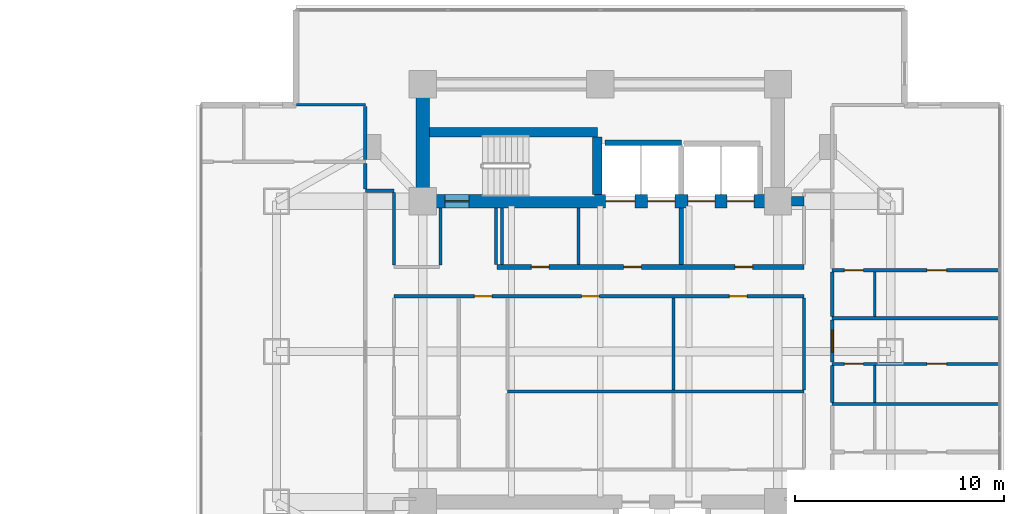
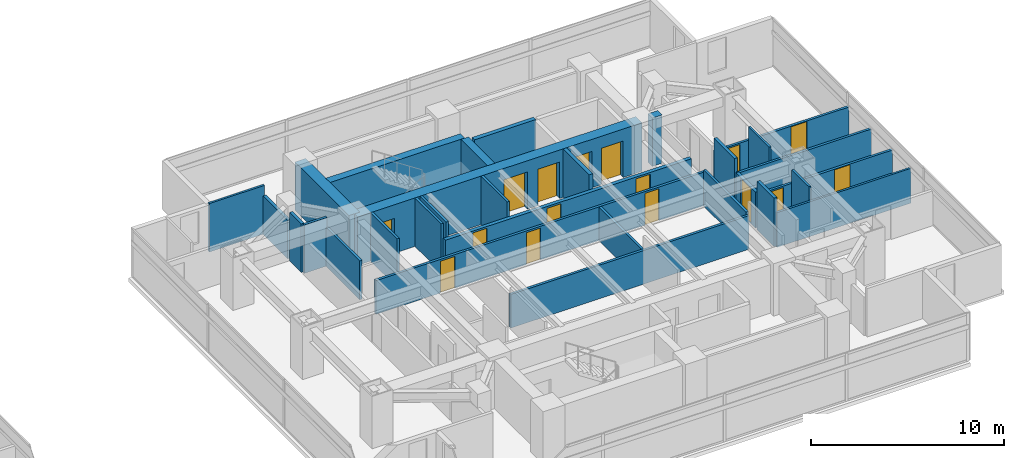
# One storey, part 19 of 27: 30 walls, 16 doors, 16 openings.
"""IFC4 building model written with IfcOpenShell, lengths in metres."""

from ifc_helpers import new_model, si_unit, direction, frame, frame_2d, origin, place, context, subcontext, project, spatial, rectangle, extrude, material, layer, layer_set, type_object, element, fill, save


model = new_model("IFC4")

# Units and contexts
model_context = context("Model", 3, precision=1e-05, world=origin(), true_north=direction((0.0, 1.0)))
body_context = subcontext(model_context, "Body", "Model", "MODEL_VIEW")
ifc_project = project(units=[si_unit("LENGTHUNIT", "METRE"), si_unit("AREAUNIT", "SQUARE_METRE"), si_unit("VOLUMEUNIT", "CUBIC_METRE"), si_unit("PLANEANGLEUNIT", "RADIAN"), si_unit("MASSUNIT", "GRAM", prefix="KILO")], contexts=[model_context])

# Site, building, storey
site_placement = place(None, origin())
site = spatial("IfcSite", under=ifc_project, at=site_placement, CompositionType="ELEMENT")
building_placement = place(site_placement, origin())
building = spatial("IfcBuilding", under=site, at=building_placement, Name="Mirazonda Arch Towers", CompositionType="ELEMENT")
storey_placement = place(building_placement, frame((0.0, 0.0, 75.199951171875)))
storey = spatial("IfcBuildingStorey", under=building, at=storey_placement, Name="L21", CompositionType="ELEMENT", Elevation=75.199951171875)

# Walls
ifc_material_1 = material(Name="Concrete C50/60", Category="concrete")
ifc_layer_1 = layer(ifc_material_1, 0.449951171875, Name="WALL-CORE-450")
ifc_layer_set_1 = layer_set([ifc_layer_1], Name="Concrete C50/60")
wall_type_1 = type_object("IfcWallType", Name="WALL-CORE-450", PredefinedType="SHEAR", material=ifc_layer_set_1)
wall_1_placement = place(storey_placement, frame((85.6650390625, 35.199951171875, 0.0), z_axis=(0.0, 0.0, 1.0), x_axis=(1.0, 0.0, 0.0)))
element("IfcWall", 1, at=wall_1_placement, inside=storey, type_object=wall_type_1, Name="L21 Stair Core Shear Wall 042", PredefinedType="SHEAR", context=body_context, shape_type="SweptSolid", body=[
    extrude(rectangle(XDim=0.5849609375, YDim=0.449951171875, at=frame_2d((0.29248046875, 0.0))), origin(), (0.0, 0.0, 1.0), 3.06005859375),
])
wall_2_placement = place(storey_placement, frame((68.320068359375, 38.5, 0.0), z_axis=(0.0, 0.0, 1.0), x_axis=(1.0, 0.0, 0.0)))
element("IfcWall", 2, at=wall_2_placement, inside=storey, type_object=wall_type_1, Name="L21 Stair Core Shear Wall 048", PredefinedType="SHEAR", context=body_context, shape_type="SweptSolid", body=[
    extrude(rectangle(XDim=8.0400390625, YDim=0.449951171875, at=frame_2d((4.02001953125, 0.0))), origin(), (0.0, 0.0, 1.0), 3.06005859375),
])
wall_3_placement = place(storey_placement, frame((76.360107421875, 35.52001953125, 0.0), z_axis=(0.0, 0.0, 1.0), x_axis=(0.0, 1.0, 0.0)))
element("IfcWall", 3, at=wall_3_placement, inside=storey, type_object=wall_type_1, Name="L21 Stair Core Shear Wall 124", PredefinedType="SHEAR", context=body_context, shape_type="SweptSolid", body=[
    extrude(rectangle(XDim=2.744873046875, YDim=0.449951171875, at=frame_2d((1.37255859375, 0.0))), origin(), (0.0, 0.0, 1.0), 3.06005859375),
])
ifc_material_2 = material(Name="Concrete C60/75", Category="concrete")
ifc_layer_2 = layer(ifc_material_2, 0.64990234375, Name="WALL-CORE-650")
ifc_layer_set_2 = layer_set([ifc_layer_2], Name="Concrete C60/75")
wall_type_2 = type_object("IfcWallType", Name="WALL-CORE-650", PredefinedType="SHEAR", material=ifc_layer_set_2)
wall_4_placement = place(storey_placement, frame((68.0, 35.199951171875, 0.0), z_axis=(0.0, 0.0, 1.0), x_axis=(0.0, 1.0, 0.0)))
element("IfcWall", 4, at=wall_4_placement, inside=storey, type_object=wall_type_2, Name="L21 T2N-W Core Shear Wall", PredefinedType="SHEAR", context=body_context, shape_type="SweptSolid", body=[
    extrude(rectangle(XDim=5.60009765625, YDim=0.64990234375, at=frame_2d((2.800048828125, 0.0))), origin(), (0.0, 0.0, 1.0), 3.06005859375),
])

# Wall, openings, doors
wall_5_placement = place(storey_placement, frame((68.0, 35.199951171875, 0.0), z_axis=(0.0, 0.0, 1.0), x_axis=(1.0, 0.0, 0.0)))
wall_5 = element("IfcWall", 5, at=wall_5_placement, inside=storey, type_object=wall_type_2, Name="L21 T2N-S Core Shear Wall", PredefinedType="SHEAR", context=body_context, shape_type="SweptSolid", body=[
    extrude(rectangle(XDim=17.0, YDim=0.64990234375, at=frame_2d((8.5, 0.0))), origin(), (0.0, 0.0, 1.0), 3.06005859375),
])
opening_1_placement = place(wall_5_placement, frame((1.06005859375, 0.0, 0.0)))
opening_1 = element("IfcOpeningElement", 6, at=opening_1_placement, cuts=wall_5, Name="Opening DR-135", PredefinedType="OPENING", context=body_context, shape_type="SweptSolid", body=[
    extrude(rectangle(XDim=1.14990234375, YDim=2.199951171875, at=frame_2d((0.574951171875, 1.10009765625))), frame((0.0, 0.3349609375, 0.0), z_axis=(0.0, -1.0, 0.0), x_axis=(1.0, 0.0, 0.0)), (0.0, 0.0, 1.0), 0.669921875),
])
opening_2_placement = place(wall_5_placement, frame((8.75, 0.0, 0.0)))
opening_2 = element("IfcOpeningElement", 7, at=opening_2_placement, cuts=wall_5, Name="Opening LD-112", PredefinedType="OPENING", context=body_context, shape_type="SweptSolid", body=[
    extrude(rectangle(XDim=1.39990234375, YDim=2.35009765625, at=frame_2d((0.699951171875, 1.175048828125))), frame((0.0, 0.3349609375, 0.0), z_axis=(0.0, -1.0, 0.0), x_axis=(1.0, 0.0, 0.0)), (0.0, 0.0, 1.0), 0.669921875),
])
opening_3_placement = place(wall_5_placement, frame((10.77001953125, 0.0, 0.0)))
opening_3 = element("IfcOpeningElement", 8, at=opening_3_placement, cuts=wall_5, Name="Opening LD-111", PredefinedType="OPENING", context=body_context, shape_type="SweptSolid", body=[
    extrude(rectangle(XDim=1.300048828125, YDim=2.300048828125, at=frame_2d((0.64990234375, 1.14990234375))), frame((0.0, 0.3349609375, 0.0), z_axis=(0.0, -1.0, 0.0), x_axis=(1.0, 0.0, 0.0)), (0.0, 0.0, 1.0), 0.669921875),
])
opening_4_placement = place(wall_5_placement, frame((12.68994140625, 0.0, 0.0)))
opening_4 = element("IfcOpeningElement", 9, at=opening_4_placement, cuts=wall_5, Name="Opening LD-111", PredefinedType="OPENING", context=body_context, shape_type="SweptSolid", body=[
    extrude(rectangle(XDim=1.300048828125, YDim=2.300048828125, at=frame_2d((0.64990234375, 1.14990234375))), frame((0.0, 0.3349609375, 0.0), z_axis=(0.0, -1.0, 0.0), x_axis=(1.0, 0.0, 0.0)), (0.0, 0.0, 1.0), 0.669921875),
])
opening_5_placement = place(wall_5_placement, frame((14.570068359375, 0.0, 0.0)))
opening_5 = element("IfcOpeningElement", 10, at=opening_5_placement, cuts=wall_5, Name="Opening LD-111", PredefinedType="OPENING", context=body_context, shape_type="SweptSolid", body=[
    extrude(rectangle(XDim=1.300048828125, YDim=2.300048828125, at=frame_2d((0.64990234375, 1.14990234375))), frame((0.0, 0.3349609375, 0.0), z_axis=(0.0, -1.0, 0.0), x_axis=(1.0, 0.0, 0.0)), (0.0, 0.0, 1.0), 0.669921875),
])
ifc_material_3 = material(Name="Architectural Brushed Steel S355", Category="steel")
door_type_1 = type_object("IfcDoorType", Name="DOOR-LIFT-FFL-1400", OperationType="NOTDEFINED", PredefinedType="DOOR", material=ifc_material_3)
door_1_placement = place(opening_2_placement, origin())
door_1 = element("IfcDoor", 11, at=door_1_placement, inside=storey, type_object=door_type_1, Name="L21 Lift Landing Sliding Door FFL-T2", OperationType="DOUBLE_DOOR_SLIDING", OverallHeight=2.35009765625, OverallWidth=1.39990234375, PredefinedType="DOOR", context=body_context, shape_type="SweptSolid", body=[
    extrude(rectangle(XDim=1.39990234375, YDim=2.35009765625, at=frame_2d((0.699951171875, 1.175048828125))), frame((0.0, 0.02490234375, 0.0), z_axis=(0.0, -1.0, 0.0), x_axis=(1.0, 0.0, 0.0)), (0.0, 0.0, 1.0), 0.050048828125),
])
fill(opening_2, door_1)
door_type_2 = type_object("IfcDoorType", Name="DOOR-LIFT-LAND-1300", OperationType="NOTDEFINED", PredefinedType="DOOR", material=ifc_material_3)
door_2_placement = place(opening_3_placement, origin())
door_2 = element("IfcDoor", 12, at=door_2_placement, inside=storey, type_object=door_type_2, Name="L21 Lift Landing Sliding Door SVL-T2", OperationType="DOUBLE_DOOR_SLIDING", OverallHeight=2.300048828125, OverallWidth=1.300048828125, PredefinedType="DOOR", context=body_context, shape_type="SweptSolid", body=[
    extrude(rectangle(XDim=1.300048828125, YDim=2.300048828125, at=frame_2d((0.64990234375, 1.14990234375))), frame((0.0, 0.02490234375, 0.0), z_axis=(0.0, -1.0, 0.0), x_axis=(1.0, 0.0, 0.0)), (0.0, 0.0, 1.0), 0.050048828125),
])
fill(opening_3, door_2)
door_3_placement = place(opening_4_placement, origin())
door_3 = element("IfcDoor", 13, at=door_3_placement, inside=storey, type_object=door_type_2, Name="L21 Lift Landing Sliding Door PL-T2L1", OperationType="DOUBLE_DOOR_SLIDING", OverallHeight=2.300048828125, OverallWidth=1.300048828125, PredefinedType="DOOR", context=body_context, shape_type="SweptSolid", body=[
    extrude(rectangle(XDim=1.300048828125, YDim=2.300048828125, at=frame_2d((0.64990234375, 1.14990234375))), frame((0.0, 0.02490234375, 0.0), z_axis=(0.0, -1.0, 0.0), x_axis=(1.0, 0.0, 0.0)), (0.0, 0.0, 1.0), 0.050048828125),
])
fill(opening_4, door_3)
door_4_placement = place(opening_5_placement, origin())
door_4 = element("IfcDoor", 14, at=door_4_placement, inside=storey, type_object=door_type_2, Name="L21 Lift Landing Sliding Door PL-T2L2", OperationType="DOUBLE_DOOR_SLIDING", OverallHeight=2.300048828125, OverallWidth=1.300048828125, PredefinedType="DOOR", context=body_context, shape_type="SweptSolid", body=[
    extrude(rectangle(XDim=1.300048828125, YDim=2.300048828125, at=frame_2d((0.64990234375, 1.14990234375))), frame((0.0, 0.02490234375, 0.0), z_axis=(0.0, -1.0, 0.0), x_axis=(1.0, 0.0, 0.0)), (0.0, 0.0, 1.0), 0.050048828125),
])
fill(opening_5, door_4)
door_type_3 = type_object("IfcDoorType", Name="DOOR-STAIR-FD90-1150", OperationType="NOTDEFINED", PredefinedType="DOOR", material=ifc_material_3)
door_5_placement = place(opening_1_placement, origin())
door_5 = element("IfcDoor", 15, at=door_5_placement, inside=storey, type_object=door_type_3, Name="L21 East Protected Stair North Door", OperationType="SINGLE_SWING_RIGHT", OverallHeight=2.199951171875, OverallWidth=1.14990234375, PredefinedType="DOOR", context=body_context, shape_type="SweptSolid", body=[
    extrude(rectangle(XDim=1.14990234375, YDim=2.199951171875, at=frame_2d((0.574951171875, 1.10009765625))), frame((0.0, 0.02490234375, 0.0), z_axis=(0.0, -1.0, 0.0), x_axis=(1.0, 0.0, 0.0)), (0.0, 0.0, 1.0), 0.050048828125),
])
fill(opening_1, door_5)

ifc_material_4 = material(Name="Concrete C40/50", Category="concrete")
ifc_layer_3 = layer(ifc_material_4, 0.219970703125, Name="WALL-FFL-220")
ifc_layer_set_3 = layer_set([ifc_layer_3], Name="Concrete C40/50")
wall_type_3 = type_object("IfcWallType", Name="WALL-FFL-220", PredefinedType="SOLIDWALL", material=ifc_layer_set_3)
wall_6_placement = place(storey_placement, frame((71.550048828125, 32.050048828125, 0.0), z_axis=(0.0, 0.0, 1.0), x_axis=(1.0, 0.0, 0.0)))
wall_6 = element("IfcWall", 16, at=wall_6_placement, inside=storey, type_object=wall_type_3, Name="L21 Interior Partition 038", PredefinedType="SOLIDWALL", context=body_context, shape_type="SweptSolid", body=[
    extrude(rectangle(XDim=14.699951171875, YDim=0.219970703125, at=frame_2d((7.35009765625, 0.0))), origin(), (0.0, 0.0, 1.0), 2.125),
])
opening_6_placement = place(wall_6_placement, frame((11.389892578125, 0.0, 0.0)))
opening_6 = element("IfcOpeningElement", 17, at=opening_6_placement, cuts=wall_6, Name="Opening DR-128", PredefinedType="OPENING", context=body_context, shape_type="SweptSolid", body=[
    extrude(rectangle(XDim=0.85009765625, YDim=2.010009765625, at=frame_2d((0.425048828125, 1.0048828125))), frame((0.0, 0.119873046875, 0.0), z_axis=(0.0, -1.0, 0.0), x_axis=(1.0, 0.0, 0.0)), (0.0, 0.0, 1.0), 0.239990234375),
])
opening_7_placement = place(wall_6_placement, frame((6.06494140625, 0.0, 0.0)))
opening_7 = element("IfcOpeningElement", 18, at=opening_7_placement, cuts=wall_6, Name="Opening DR-128", PredefinedType="OPENING", context=body_context, shape_type="SweptSolid", body=[
    extrude(rectangle(XDim=0.85009765625, YDim=2.010009765625, at=frame_2d((0.425048828125, 1.0048828125))), frame((0.0, 0.119873046875, 0.0), z_axis=(0.0, -1.0, 0.0), x_axis=(1.0, 0.0, 0.0)), (0.0, 0.0, 1.0), 0.239990234375),
])
opening_8_placement = place(wall_6_placement, frame((1.64990234375, 0.0, 0.0)))
opening_8 = element("IfcOpeningElement", 19, at=opening_8_placement, cuts=wall_6, Name="Opening DR-128", PredefinedType="OPENING", context=body_context, shape_type="SweptSolid", body=[
    extrude(rectangle(XDim=0.85009765625, YDim=2.010009765625, at=frame_2d((0.425048828125, 1.0048828125))), frame((0.0, 0.119873046875, 0.0), z_axis=(0.0, -1.0, 0.0), x_axis=(1.0, 0.0, 0.0)), (0.0, 0.0, 1.0), 0.239990234375),
])
door_type_4 = type_object("IfcDoorType", Name="DOOR-RISER-FD60-850", OperationType="NOTDEFINED", PredefinedType="DOOR", material=ifc_material_3)
door_6_placement = place(opening_6_placement, origin())
door_6 = element("IfcDoor", 20, at=door_6_placement, inside=storey, type_object=door_type_4, Name="L21 East Passenger Lift Lobby Door", OperationType="SINGLE_SWING_LEFT", OverallHeight=2.010009765625, OverallWidth=0.85009765625, PredefinedType="DOOR", context=body_context, shape_type="SweptSolid", body=[
    extrude(rectangle(XDim=0.85009765625, YDim=2.010009765625, at=frame_2d((0.425048828125, 1.0048828125))), frame((0.0, 0.02490234375, 0.0), z_axis=(0.0, -1.0, 0.0), x_axis=(1.0, 0.0, 0.0)), (0.0, 0.0, 1.0), 0.050048828125),
])
fill(opening_6, door_6)
door_7_placement = place(opening_7_placement, origin())
door_7 = element("IfcDoor", 21, at=door_7_placement, inside=storey, type_object=door_type_4, Name="L21 East Firefighting Lift Lobby Door", OperationType="SINGLE_SWING_LEFT", OverallHeight=2.010009765625, OverallWidth=0.85009765625, PredefinedType="DOOR", context=body_context, shape_type="SweptSolid", body=[
    extrude(rectangle(XDim=0.85009765625, YDim=2.010009765625, at=frame_2d((0.425048828125, 1.0048828125))), frame((0.0, 0.02490234375, 0.0), z_axis=(0.0, -1.0, 0.0), x_axis=(1.0, 0.0, 0.0)), (0.0, 0.0, 1.0), 0.050048828125),
])
fill(opening_7, door_7)
door_8_placement = place(opening_8_placement, origin())
door_8 = element("IfcDoor", 22, at=door_8_placement, inside=storey, type_object=door_type_4, Name="L21 Tower 2 Housekeeping & Linen Room Door", OperationType="SINGLE_SWING_RIGHT", OverallHeight=2.010009765625, OverallWidth=0.85009765625, PredefinedType="DOOR", context=body_context, shape_type="SweptSolid", body=[
    extrude(rectangle(XDim=0.85009765625, YDim=2.010009765625, at=frame_2d((0.425048828125, 1.0048828125))), frame((0.0, 0.02490234375, 0.0), z_axis=(0.0, -1.0, 0.0), x_axis=(1.0, 0.0, 0.0)), (0.0, 0.0, 1.0), 0.050048828125),
])
fill(opening_8, door_8)

# Walls
wall_7_placement = place(storey_placement, frame((80.3798828125, 32.169921875, 0.0), z_axis=(0.0, 0.0, 1.0), x_axis=(0.0, 1.0, 0.0)))
element("IfcWall", 23, at=wall_7_placement, inside=storey, type_object=wall_type_3, Name="L21 Interior Partition 128", PredefinedType="SOLIDWALL", context=body_context, shape_type="SweptSolid", body=[
    extrude(rectangle(XDim=2.7099609375, YDim=0.219970703125, at=frame_2d((1.35498046875, 0.0))), origin(), (0.0, 0.0, 1.0), 3.06005859375),
])
ifc_material_5 = material(Name="Fire-Rated Gypsum Stud Partition")
ifc_layer_4 = layer(ifc_material_5, 0.14990234375, Name="WALL-PART-CORR-150")
ifc_layer_set_4 = layer_set([ifc_layer_4], Name="Fire-Rated Gypsum Stud Partition")
wall_type_4 = type_object("IfcWallType", Name="WALL-PART-CORR-150", PredefinedType="PARTITIONING", material=ifc_layer_set_4)
wall_8_placement = place(storey_placement, frame((72.050048828125, 26.0849609375, 0.0), z_axis=(0.0, 0.0, 1.0), x_axis=(1.0, 0.0, 0.0)))
element("IfcWall", 24, at=wall_8_placement, inside=storey, type_object=wall_type_4, Name="L21 Interior Partition 027", PredefinedType="PARTITIONING", context=body_context, shape_type="SweptSolid", body=[
    extrude(rectangle(XDim=14.199951171875, YDim=0.14990234375, at=frame_2d((7.10009765625, 0.0))), origin(), (0.0, 0.0, 1.0), 2.125),
])

# Wall, openings, doors
wall_9_placement = place(storey_placement, frame((87.60009765625, 27.412109375, 0.0), z_axis=(0.0, 0.0, 1.0), x_axis=(1.0, 0.0, 0.0)))
wall_9 = element("IfcWall", 25, at=wall_9_placement, inside=storey, type_object=wall_type_4, Name="L21 Interior Partition 031", PredefinedType="PARTITIONING", context=body_context, shape_type="SweptSolid", body=[
    extrude(rectangle(XDim=8.005859375, YDim=0.14990234375, at=frame_2d((4.0029296875, 0.0))), origin(), (0.0, 0.0, 1.0), 2.196044921875),
])
opening_9_placement = place(wall_9_placement, frame((4.528076171875, 0.0, 0.0)))
opening_9 = element("IfcOpeningElement", 26, at=opening_9_placement, cuts=wall_9, Name="Opening DR-104", PredefinedType="OPENING", context=body_context, shape_type="SweptSolid", body=[
    extrude(rectangle(XDim=0.949951171875, YDim=2.14990234375, at=frame_2d((0.47509765625, 1.074951171875))), frame((0.0, 0.0849609375, 0.0), z_axis=(0.0, -1.0, 0.0), x_axis=(1.0, 0.0, 0.0)), (0.0, 0.0, 1.0), 0.169921875),
])
opening_10_placement = place(wall_9_placement, frame((0.590087890625, 0.0, 0.0)))
opening_10 = element("IfcOpeningElement", 27, at=opening_10_placement, cuts=wall_9, Name="Opening DR-120", PredefinedType="OPENING", context=body_context, shape_type="SweptSolid", body=[
    extrude(rectangle(XDim=0.89990234375, YDim=2.10009765625, at=frame_2d((0.449951171875, 1.050048828125))), frame((0.0, 0.0849609375, 0.0), z_axis=(0.0, -1.0, 0.0), x_axis=(1.0, 0.0, 0.0)), (0.0, 0.0, 1.0), 0.169921875),
])
door_type_5 = type_object("IfcDoorType", Name="DOOR-ROOM-950", OperationType="NOTDEFINED", PredefinedType="DOOR", material=ifc_material_3)
door_9_placement = place(opening_9_placement, origin())
door_9 = element("IfcDoor", 28, at=door_9_placement, inside=storey, type_object=door_type_5, Name="L21 Guestroom Study 2 Door", OperationType="SINGLE_SWING_RIGHT", OverallHeight=2.14990234375, OverallWidth=0.949951171875, PredefinedType="DOOR", context=body_context, shape_type="SweptSolid", body=[
    extrude(rectangle(XDim=0.949951171875, YDim=2.14990234375, at=frame_2d((0.47509765625, 1.074951171875))), frame((0.0, 0.02490234375, 0.0), z_axis=(0.0, -1.0, 0.0), x_axis=(1.0, 0.0, 0.0)), (0.0, 0.0, 1.0), 0.050048828125),
])
fill(opening_9, door_9)
door_type_6 = type_object("IfcDoorType", Name="DOOR-WC-900", OperationType="NOTDEFINED", PredefinedType="DOOR", material=ifc_material_3)
door_10_placement = place(opening_10_placement, origin())
door_10 = element("IfcDoor", 29, at=door_10_placement, inside=storey, type_object=door_type_6, Name="L21 En-Suite Bathroom 2 Door", OperationType="SINGLE_SWING_LEFT", OverallHeight=2.10009765625, OverallWidth=0.89990234375, PredefinedType="DOOR", context=body_context, shape_type="SweptSolid", body=[
    extrude(rectangle(XDim=0.89990234375, YDim=2.10009765625, at=frame_2d((0.449951171875, 1.050048828125))), frame((0.0, 0.02490234375, 0.0), z_axis=(0.0, -1.0, 0.0), x_axis=(1.0, 0.0, 0.0)), (0.0, 0.0, 1.0), 0.050048828125),
])
fill(opening_10, door_10)

# Wall
wall_10_placement = place(storey_placement, frame((87.60009765625, 29.595947265625, 0.0), z_axis=(0.0, 0.0, 1.0), x_axis=(1.0, 0.0, 0.0)))
element("IfcWall", 30, at=wall_10_placement, inside=storey, type_object=wall_type_4, Name="L21 Interior Partition 033", PredefinedType="PARTITIONING", context=body_context, shape_type="SweptSolid", body=[
    extrude(rectangle(XDim=8.005859375, YDim=0.14990234375, at=frame_2d((4.0029296875, 0.0))), origin(), (0.0, 0.0, 1.0), 2.196044921875),
])

# Wall, openings, doors
wall_11_placement = place(storey_placement, frame((66.6201171875, 30.64990234375, 0.0), z_axis=(0.0, 0.0, 1.0), x_axis=(1.0, 0.0, 0.0)))
wall_11 = element("IfcWall", 31, at=wall_11_placement, inside=storey, type_object=wall_type_4, Name="L21 Interior Partition 034", PredefinedType="PARTITIONING", context=body_context, shape_type="SweptSolid", body=[
    extrude(rectangle(XDim=19.6298828125, YDim=0.14990234375, at=frame_2d((9.81494140625, 0.0))), origin(), (0.0, 0.0, 1.0), 2.125),
])
opening_11_placement = place(wall_11_placement, frame((3.85498046875, 0.0, 0.0)))
opening_11 = element("IfcOpeningElement", 32, at=opening_11_placement, cuts=wall_11, Name="Opening DR-128", PredefinedType="OPENING", context=body_context, shape_type="SweptSolid", body=[
    extrude(rectangle(XDim=0.85009765625, YDim=2.010009765625, at=frame_2d((0.425048828125, 1.0048828125))), frame((0.0, 0.0849609375, 0.0), z_axis=(0.0, -1.0, 0.0), x_axis=(1.0, 0.0, 0.0)), (0.0, 0.0, 1.0), 0.169921875),
])
opening_12_placement = place(wall_11_placement, frame((8.98095703125, 0.0, 0.0)))
opening_12 = element("IfcOpeningElement", 33, at=opening_12_placement, cuts=wall_11, Name="Opening DR-128", PredefinedType="OPENING", context=body_context, shape_type="SweptSolid", body=[
    extrude(rectangle(XDim=0.85009765625, YDim=2.010009765625, at=frame_2d((0.425048828125, 1.0048828125))), frame((0.0, 0.0849609375, 0.0), z_axis=(0.0, -1.0, 0.0), x_axis=(1.0, 0.0, 0.0)), (0.0, 0.0, 1.0), 0.169921875),
])
opening_13_placement = place(wall_11_placement, frame((16.06103515625, 0.0, 0.0)))
opening_13 = element("IfcOpeningElement", 34, at=opening_13_placement, cuts=wall_11, Name="Opening DR-128", PredefinedType="OPENING", context=body_context, shape_type="SweptSolid", body=[
    extrude(rectangle(XDim=0.85009765625, YDim=2.010009765625, at=frame_2d((0.425048828125, 1.0048828125))), frame((0.0, 0.0849609375, 0.0), z_axis=(0.0, -1.0, 0.0), x_axis=(1.0, 0.0, 0.0)), (0.0, 0.0, 1.0), 0.169921875),
])
door_11_placement = place(opening_11_placement, origin())
door_11 = element("IfcDoor", 35, at=door_11_placement, inside=storey, type_object=door_type_4, Name="L21 L21 East Courtyard Study Door", OperationType="SINGLE_SWING_RIGHT", OverallHeight=2.010009765625, OverallWidth=0.85009765625, PredefinedType="DOOR", context=body_context, shape_type="SweptSolid", body=[
    extrude(rectangle(XDim=0.85009765625, YDim=2.010009765625, at=frame_2d((0.425048828125, 1.0048828125))), frame((0.0, 0.02490234375, 0.0), z_axis=(0.0, -1.0, 0.0), x_axis=(1.0, 0.0, 0.0)), (0.0, 0.0, 1.0), 0.050048828125),
])
fill(opening_11, door_11)
door_12_placement = place(opening_12_placement, origin())
door_12 = element("IfcDoor", 36, at=door_12_placement, inside=storey, type_object=door_type_4, Name="L21 Concierge Salon Door", OperationType="SINGLE_SWING_LEFT", OverallHeight=2.010009765625, OverallWidth=0.85009765625, PredefinedType="DOOR", context=body_context, shape_type="SweptSolid", body=[
    extrude(rectangle(XDim=0.85009765625, YDim=2.010009765625, at=frame_2d((0.425048828125, 1.0048828125))), frame((0.0, 0.02490234375, 0.0), z_axis=(0.0, -1.0, 0.0), x_axis=(1.0, 0.0, 0.0)), (0.0, 0.0, 1.0), 0.050048828125),
])
fill(opening_12, door_12)
door_13_placement = place(opening_13_placement, origin())
door_13 = element("IfcDoor", 37, at=door_13_placement, inside=storey, type_object=door_type_4, Name="L21 Private Meeting Suite Door", OperationType="SINGLE_SWING_RIGHT", OverallHeight=2.010009765625, OverallWidth=0.85009765625, PredefinedType="DOOR", context=body_context, shape_type="SweptSolid", body=[
    extrude(rectangle(XDim=0.85009765625, YDim=2.010009765625, at=frame_2d((0.425048828125, 1.0048828125))), frame((0.0, 0.02490234375, 0.0), z_axis=(0.0, -1.0, 0.0), x_axis=(1.0, 0.0, 0.0)), (0.0, 0.0, 1.0), 0.050048828125),
])
fill(opening_13, door_13)

wall_12_placement = place(storey_placement, frame((87.60009765625, 31.89599609375, 0.0), z_axis=(0.0, 0.0, 1.0), x_axis=(1.0, 0.0, 0.0)))
wall_12 = element("IfcWall", 38, at=wall_12_placement, inside=storey, type_object=wall_type_4, Name="L21 Interior Partition 035", PredefinedType="PARTITIONING", context=body_context, shape_type="SweptSolid", body=[
    extrude(rectangle(XDim=8.005859375, YDim=0.14990234375, at=frame_2d((4.0029296875, 0.0))), origin(), (0.0, 0.0, 1.0), 2.196044921875),
])
opening_14_placement = place(wall_12_placement, frame((4.528076171875, 0.0, 0.0)))
opening_14 = element("IfcOpeningElement", 39, at=opening_14_placement, cuts=wall_12, Name="Opening DR-104", PredefinedType="OPENING", context=body_context, shape_type="SweptSolid", body=[
    extrude(rectangle(XDim=0.949951171875, YDim=2.14990234375, at=frame_2d((0.47509765625, 1.074951171875))), frame((0.0, 0.0849609375, 0.0), z_axis=(0.0, -1.0, 0.0), x_axis=(1.0, 0.0, 0.0)), (0.0, 0.0, 1.0), 0.169921875),
])
opening_15_placement = place(wall_12_placement, frame((0.590087890625, 0.0, 0.0)))
opening_15 = element("IfcOpeningElement", 40, at=opening_15_placement, cuts=wall_12, Name="Opening DR-120", PredefinedType="OPENING", context=body_context, shape_type="SweptSolid", body=[
    extrude(rectangle(XDim=0.89990234375, YDim=2.10009765625, at=frame_2d((0.449951171875, 1.050048828125))), frame((0.0, 0.0849609375, 0.0), z_axis=(0.0, -1.0, 0.0), x_axis=(1.0, 0.0, 0.0)), (0.0, 0.0, 1.0), 0.169921875),
])
door_14_placement = place(opening_14_placement, origin())
door_14 = element("IfcDoor", 41, at=door_14_placement, inside=storey, type_object=door_type_5, Name="L21 Guestroom Study 3 Door", OperationType="SINGLE_SWING_LEFT", OverallHeight=2.14990234375, OverallWidth=0.949951171875, PredefinedType="DOOR", context=body_context, shape_type="SweptSolid", body=[
    extrude(rectangle(XDim=0.949951171875, YDim=2.14990234375, at=frame_2d((0.47509765625, 1.074951171875))), frame((0.0, 0.02490234375, 0.0), z_axis=(0.0, -1.0, 0.0), x_axis=(1.0, 0.0, 0.0)), (0.0, 0.0, 1.0), 0.050048828125),
])
fill(opening_14, door_14)
door_15_placement = place(opening_15_placement, origin())
door_15 = element("IfcDoor", 42, at=door_15_placement, inside=storey, type_object=door_type_6, Name="L21 En-Suite Bathroom 3 Door", OperationType="SINGLE_SWING_RIGHT", OverallHeight=2.10009765625, OverallWidth=0.89990234375, PredefinedType="DOOR", context=body_context, shape_type="SweptSolid", body=[
    extrude(rectangle(XDim=0.89990234375, YDim=2.10009765625, at=frame_2d((0.449951171875, 1.050048828125))), frame((0.0, 0.02490234375, 0.0), z_axis=(0.0, -1.0, 0.0), x_axis=(1.0, 0.0, 0.0)), (0.0, 0.0, 1.0), 0.050048828125),
])
fill(opening_15, door_15)

# Walls
wall_13_placement = place(storey_placement, frame((65.25, 35.699951171875, 0.0), z_axis=(0.0, 0.0, 1.0), x_axis=(1.0, 0.0, 0.0)))
element("IfcWall", 43, at=wall_13_placement, inside=storey, type_object=wall_type_4, Name="L21 Interior Partition 043", PredefinedType="PARTITIONING", context=body_context, shape_type="SweptSolid", body=[
    extrude(rectangle(XDim=1.3701171875, YDim=0.14990234375, at=frame_2d((0.68505859375, 0.0))), origin(), (0.0, 0.0, 1.0), 3.06005859375),
])
wall_14_placement = place(storey_placement, frame((66.6201171875, 32.135009765625, 0.0), z_axis=(0.0, 0.0, 1.0), x_axis=(0.0, 1.0, 0.0)))
element("IfcWall", 44, at=wall_14_placement, inside=storey, type_object=wall_type_4, Name="L21 Interior Partition 114", PredefinedType="PARTITIONING", context=body_context, shape_type="SweptSolid", body=[
    extrude(rectangle(XDim=3.47998046875, YDim=0.14990234375, at=frame_2d((1.739990234375, 0.0))), origin(), (0.0, 0.0, 1.0), 2.4521484375),
])
wall_15_placement = place(storey_placement, frame((68.85009765625, 32.135009765625, 0.0), z_axis=(0.0, 0.0, 1.0), x_axis=(0.0, 1.0, 0.0)))
element("IfcWall", 45, at=wall_15_placement, inside=storey, type_object=wall_type_4, Name="L21 Interior Partition 115", PredefinedType="PARTITIONING", context=body_context, shape_type="SweptSolid", body=[
    extrude(rectangle(XDim=2.744873046875, YDim=0.14990234375, at=frame_2d((1.37255859375, 0.0))), origin(), (0.0, 0.0, 1.0), 3.06005859375),
])
for number, where, z_axis, x_axis, name in (
    (46, (71.5, 32.169921875, 0.0), (0.0, 0.0, 1.0), (0.0, 1.0, 0.0), "L21 Interior Partition 118"),
    (47, (71.800048828125, 32.169921875, 0.0), (0.0, 0.0, 1.0), (0.0, 1.0, 0.0), "L21 Interior Partition 119"),
    (48, (75.449951171875, 32.169921875, 0.0), (0.0, 0.0, 1.0), (0.0, 1.0, 0.0), "L21 Interior Partition 122"),
):
    element("IfcWall", number, at=place(storey_placement, frame(where, z_axis=z_axis, x_axis=x_axis)), inside=storey, type_object=wall_type_4, Name=name, PredefinedType="PARTITIONING", context=body_context, shape_type="SweptSolid", body=[
        extrude(rectangle(XDim=2.7099609375, YDim=0.14990234375, at=frame_2d((1.35498046875, 0.0))), origin(), (0.0, 0.0, 1.0), 3.06005859375),
    ])
wall_16_placement = place(storey_placement, frame((80.001953125, 26.169921875, 0.0), z_axis=(0.0, 0.0, 1.0), x_axis=(0.0, 1.0, 0.0)))
element("IfcWall", 49, at=wall_16_placement, inside=storey, type_object=wall_type_4, Name="L21 Interior Partition 127", PredefinedType="PARTITIONING", context=body_context, shape_type="SweptSolid", body=[
    extrude(rectangle(XDim=4.39501953125, YDim=0.14990234375, at=frame_2d((2.197509765625, 0.0))), origin(), (0.0, 0.0, 1.0), 2.125),
])
wall_17_placement = place(storey_placement, frame((86.25, 26.169921875, 0.0), z_axis=(0.0, 0.0, 1.0), x_axis=(0.0, 1.0, 0.0)))
element("IfcWall", 50, at=wall_17_placement, inside=storey, type_object=wall_type_4, Name="L21 Interior Partition 134", PredefinedType="PARTITIONING", context=body_context, shape_type="SweptSolid", body=[
    extrude(rectangle(XDim=4.39501953125, YDim=0.14990234375, at=frame_2d((2.197509765625, 0.0))), origin(), (0.0, 0.0, 1.0), 2.279052734375),
])
ifc_material_6 = material(Name="Fire-Rated Gypsum Twin-Stud Assembly")
ifc_layer_5 = layer(ifc_material_6, 0.179931640625, Name="WALL-PART-DEMISE-180")
ifc_layer_set_5 = layer_set([ifc_layer_5], Name="Fire-Rated Gypsum Twin-Stud Assembly")
wall_type_5 = type_object("IfcWallType", Name="WALL-PART-DEMISE-180", PredefinedType="PARTITIONING", material=ifc_layer_set_5)
wall_18_placement = place(storey_placement, frame((65.25, 35.784912109375, 0.0), z_axis=(0.0, 0.0, 1.0), x_axis=(0.0, 1.0, 0.0)))
element("IfcWall", 51, at=wall_18_placement, inside=storey, type_object=wall_type_5, Name="L21 Interior Partition 109", PredefinedType="PARTITIONING", context=body_context, shape_type="SweptSolid", body=[
    extrude(rectangle(XDim=1.2080078125, YDim=0.179931640625, at=frame_2d((0.60400390625, 0.0))), origin(), (0.0, 0.0, 1.0), 3.06005859375),
])
wall_19_placement = place(storey_placement, frame((65.25, 37.193115234375, 0.0), z_axis=(0.0, 0.0, 1.0), x_axis=(0.0, 1.0, 0.0)))
element("IfcWall", 52, at=wall_19_placement, inside=storey, type_object=wall_type_5, Name="L21 Interior Partition 110", PredefinedType="PARTITIONING", context=body_context, shape_type="SweptSolid", body=[
    extrude(rectangle(XDim=2.54736328125, YDim=0.179931640625, at=frame_2d((1.273681640625, 0.0))), origin(), (0.0, 0.0, 1.0), 2.43603515625),
])
wall_20_placement = place(storey_placement, frame((87.60009765625, 25.564453125, 0.0), z_axis=(0.0, 0.0, 1.0), x_axis=(0.0, 1.0, 0.0)))
element("IfcWall", 53, at=wall_20_placement, inside=storey, type_object=wall_type_5, Name="L21 Interior Partition 140", PredefinedType="PARTITIONING", context=body_context, shape_type="SweptSolid", body=[
    extrude(rectangle(XDim=1.762451171875, YDim=0.179931640625, at=frame_2d((0.88134765625, 0.0))), origin(), (0.0, 0.0, 1.0), 3.06005859375),
])

# Wall, opening, door
wall_21_placement = place(storey_placement, frame((87.60009765625, 27.4970703125, 0.0), z_axis=(0.0, 0.0, 1.0), x_axis=(0.0, 1.0, 0.0)))
wall_21 = element("IfcWall", 54, at=wall_21_placement, inside=storey, type_object=wall_type_5, Name="L21 Interior Partition 141", PredefinedType="PARTITIONING", context=body_context, shape_type="SweptSolid", body=[
    extrude(rectangle(XDim=2.013916015625, YDim=0.179931640625, at=frame_2d((1.0068359375, 0.0))), origin(), (0.0, 0.0, 1.0), 2.279052734375),
])
opening_16_placement = place(wall_21_placement, frame((0.48193359375, 0.0, 0.0)))
opening_16 = element("IfcOpeningElement", 55, at=opening_16_placement, cuts=wall_21, Name="Opening DR-121", PredefinedType="OPENING", context=body_context, shape_type="SweptSolid", body=[
    extrude(rectangle(XDim=1.050048828125, YDim=2.199951171875, at=frame_2d((0.52490234375, 1.10009765625))), frame((0.0, 0.099853515625, 0.0), z_axis=(0.0, -1.0, 0.0), x_axis=(1.0, 0.0, 0.0)), (0.0, 0.0, 1.0), 0.199951171875),
])
door_type_7 = type_object("IfcDoorType", Name="DOOR-SUITE-FD60-1050", OperationType="NOTDEFINED", PredefinedType="DOOR", material=ifc_material_3)
door_16_placement = place(opening_16_placement, origin())
door_16 = element("IfcDoor", 56, at=door_16_placement, inside=storey, type_object=door_type_7, Name="L21 Twin Hotel Guestroom 2 Door", OperationType="SINGLE_SWING_LEFT", OverallHeight=2.199951171875, OverallWidth=1.050048828125, PredefinedType="DOOR", context=body_context, shape_type="SweptSolid", body=[
    extrude(rectangle(XDim=1.050048828125, YDim=2.199951171875, at=frame_2d((0.52490234375, 1.10009765625))), frame((0.0, 0.02490234375, 0.0), z_axis=(0.0, -1.0, 0.0), x_axis=(1.0, 0.0, 0.0)), (0.0, 0.0, 1.0), 0.050048828125),
])
fill(opening_16, door_16)

# Walls
wall_22_placement = place(storey_placement, frame((87.60009765625, 29.680908203125, 0.0), z_axis=(0.0, 0.0, 1.0), x_axis=(0.0, 1.0, 0.0)))
element("IfcWall", 57, at=wall_22_placement, inside=storey, type_object=wall_type_5, Name="L21 Interior Partition 142", PredefinedType="PARTITIONING", context=body_context, shape_type="SweptSolid", body=[
    extrude(rectangle(XDim=2.130126953125, YDim=0.179931640625, at=frame_2d((1.06494140625, 0.0))), origin(), (0.0, 0.0, 1.0), 3.06005859375),
])
ifc_material_7 = material(Name="Acoustic Fire-Rated Gypsum Partition")
ifc_layer_6 = layer(ifc_material_7, 0.125, Name="WALL-PART-UNIT-125")
ifc_layer_set_6 = layer_set([ifc_layer_6], Name="Acoustic Fire-Rated Gypsum Partition")
wall_type_6 = type_object("IfcWallType", Name="WALL-PART-UNIT-125", PredefinedType="PARTITIONING", material=ifc_layer_set_6)
wall_23_placement = place(storey_placement, frame((87.60009765625, 25.491943359375, 0.0), z_axis=(0.0, 0.0, 1.0), x_axis=(1.0, 0.0, 0.0)))
element("IfcWall", 58, at=wall_23_placement, inside=storey, type_object=wall_type_6, Name="L21 Interior Partition 026", PredefinedType="PARTITIONING", context=body_context, shape_type="SweptSolid", body=[
    extrude(rectangle(XDim=8.005859375, YDim=0.125, at=frame_2d((4.0029296875, 0.0))), origin(), (0.0, 0.0, 1.0), 2.196044921875),
])
wall_24_placement = place(storey_placement, frame((61.9599609375, 39.81298828125, 0.0), z_axis=(0.0, 0.0, 1.0), x_axis=(1.0, 0.0, 0.0)))
element("IfcWall", 59, at=wall_24_placement, inside=storey, type_object=wall_type_6, Name="L21 Interior Partition 049", PredefinedType="PARTITIONING", context=body_context, shape_type="SweptSolid", body=[
    extrude(rectangle(XDim=3.2900390625, YDim=0.125, at=frame_2d((1.64501953125, 0.0))), origin(), (0.0, 0.0, 1.0), 3.06005859375),
])
wall_25_placement = place(storey_placement, frame((89.639892578125, 25.564453125, 0.0), z_axis=(0.0, 0.0, 1.0), x_axis=(0.0, 1.0, 0.0)))
element("IfcWall", 60, at=wall_25_placement, inside=storey, type_object=wall_type_6, Name="L21 Interior Partition 146", PredefinedType="PARTITIONING", context=body_context, shape_type="SweptSolid", body=[
    extrude(rectangle(XDim=1.762451171875, YDim=0.125, at=frame_2d((0.88134765625, 0.0))), origin(), (0.0, 0.0, 1.0), 3.06005859375),
])
wall_26_placement = place(storey_placement, frame((89.639892578125, 29.680908203125, 0.0), z_axis=(0.0, 0.0, 1.0), x_axis=(0.0, 1.0, 0.0)))
element("IfcWall", 61, at=wall_26_placement, inside=storey, type_object=wall_type_6, Name="L21 Interior Partition 147", PredefinedType="PARTITIONING", context=body_context, shape_type="SweptSolid", body=[
    extrude(rectangle(XDim=2.130126953125, YDim=0.125, at=frame_2d((1.06494140625, 0.0))), origin(), (0.0, 0.0, 1.0), 3.06005859375),
])
ifc_layer_7 = layer(ifc_material_4, 0.25, Name="WALL-SHAFT-250")
ifc_layer_set_7 = layer_set([ifc_layer_7], Name="Concrete C40/50")
wall_type_7 = type_object("IfcWallType", Name="WALL-SHAFT-250", PredefinedType="SOLIDWALL", material=ifc_layer_set_7)
wall_27_placement = place(storey_placement, frame((76.719970703125, 38.0, 0.0), z_axis=(0.0, 0.0, 1.0), x_axis=(1.0, 0.0, 0.0)))
element("IfcWall", 62, at=wall_27_placement, inside=storey, type_object=wall_type_7, Name="L21 Interior Partition 047", PredefinedType="SOLIDWALL", context=body_context, shape_type="SweptSolid", body=[
    extrude(rectangle(XDim=3.659912109375, YDim=0.25, at=frame_2d((1.830078125, 0.0))), origin(), (0.0, 0.0, 1.0), 3.06005859375),
])

save(model, "model.ifc")
